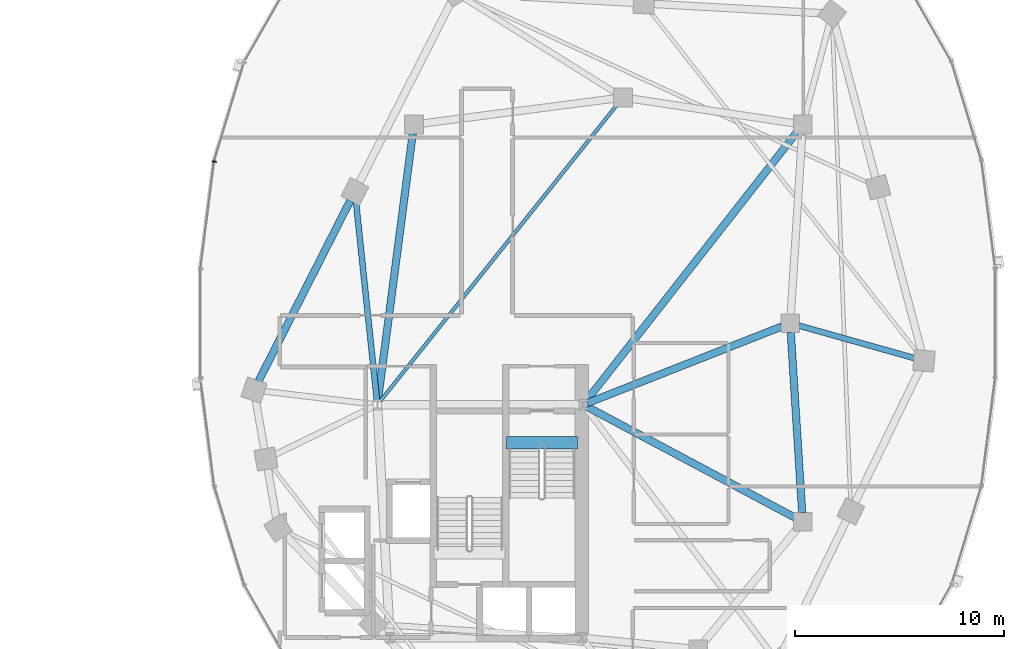
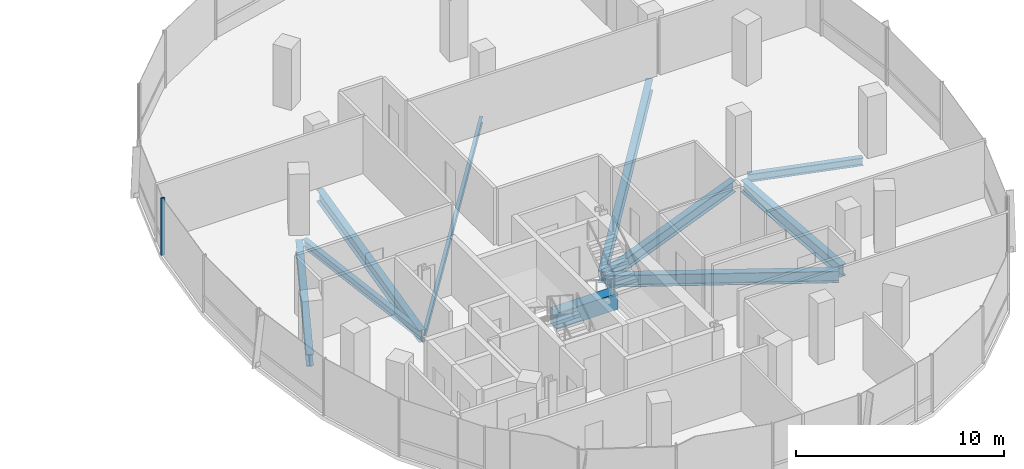
# One storey, part 7 of 22: 10 beams, 1 member, 1 element without a shape of its own.
"""IFC4 building model written with IfcOpenShell, lengths in metres."""

from ifc_helpers import new_model, si_unit, direction, frame, origin, origin_2d, place, context, subcontext, project, spatial, rectangle, i_section, extrude, material, material_profile, profile_set, type_object, element, aggregate, save


model = new_model("IFC4")

# Units and contexts
model_context = context("Model", 3, precision=1e-05, world=origin(), true_north=direction((0.0, 1.0)))
body_context = subcontext(model_context, "Body", "Model", "MODEL_VIEW")
ifc_project = project(units=[si_unit("LENGTHUNIT", "METRE"), si_unit("AREAUNIT", "SQUARE_METRE"), si_unit("VOLUMEUNIT", "CUBIC_METRE"), si_unit("PLANEANGLEUNIT", "RADIAN"), si_unit("MASSUNIT", "GRAM", prefix="KILO"), si_unit("THERMODYNAMICTEMPERATUREUNIT", "KELVIN"), si_unit("POWERUNIT", "WATT")], contexts=[model_context])

# Site, building, storey
site_placement = place(None, origin())
site = spatial("IfcSite", under=ifc_project, at=site_placement, CompositionType="ELEMENT")
building_placement = place(site_placement, origin())
building = spatial("IfcBuilding", under=site, at=building_placement, Name="Cundina Bronze Exchange", CompositionType="ELEMENT")
storey_placement = place(building_placement, frame((0.0, 0.0, 158.39990234375)))
storey = spatial("IfcBuildingStorey", under=building, at=storey_placement, Name="L41", CompositionType="ELEMENT", Elevation=158.39990234375)

# Beams
ifc_material_1 = material(Name="Concrete C60/75", Category="concrete")
ifc_material_profile_1 = material_profile(ifc_material_1, rectangle(XDim=0.60009765625, YDim=0.949951171875, at=origin_2d()), Name="RC600X950", Category="concrete")
ifc_profile_set_1 = profile_set([ifc_material_profile_1], Name="Concrete C60/75")
beam_type_1 = type_object("IfcBeamType", Name="BM-COUP-RC950", PredefinedType="LINTEL", material=ifc_profile_set_1)
beam_1_placement = place(storey_placement, frame((27.6201171875, -5.719970703125, -0.474853515625), z_axis=(1.0, 0.0, 0.0), x_axis=(0.0, 1.0, 0.0)))
element("IfcBeam", 1, at=beam_1_placement, inside=storey, type_object=beam_type_1, Name="L41 Stair E1 Landing Header Beam", PredefinedType="LINTEL", context=body_context, shape_type="SweptSolid", body=[
    extrude(rectangle(XDim=0.60009765625, YDim=0.949951171875, at=origin_2d()), origin(), (0.0, 0.0, 1.0), 3.39990234375),
])
ifc_material_2 = material(Name="Steel ASTM A992 Grade 50", Category="steel")
ifc_material_profile_2 = material_profile(ifc_material_2, i_section(OverallWidth=0.280029296875, OverallDepth=0.462890625, WebThickness=0.0107421875, FlangeThickness=0.017333984375, FilletRadius=0.011962890625, at=origin_2d()), Name="W18X76", Category="steel")
ifc_profile_set_2 = profile_set([ifc_material_profile_2], Name="Steel ASTM A992 Grade 50")
beam_type_2 = type_object("IfcBeamType", Name="BM-FLR-W18A", PredefinedType="BEAM", material=ifc_profile_set_2)
beam_2_placement = place(storey_placement, frame((41.62158203125, -0.11865234375, -0.471435546875), z_axis=(0.962649202648, -0.270751754643, 0.0), x_axis=(0.270751754643, 0.962649202648, 0.0)))
element("IfcBeam", 2, at=beam_2_placement, inside=storey, type_object=beam_type_2, Name="L41 Leg E Chordal Floor Beam 08", PredefinedType="BEAM", context=body_context, shape_type="SweptSolid", body=[
    extrude(i_section(OverallWidth=0.280029296875, OverallDepth=0.462890625, WebThickness=0.0107421875, FlangeThickness=0.017333984375, FilletRadius=0.011962890625, at=origin_2d()), origin(), (0.0, 0.0, 1.0), 5.72216796875),
])
beam_3_placement = place(storey_placement, frame((21.4287109375, -3.697021484375, -0.471435546875), z_axis=(-0.104834931651, 0.9944896365, 0.0), x_axis=(-0.9944896365, -0.104834931651, 0.0)))
element("IfcBeam", 3, at=beam_3_placement, inside=storey, type_object=beam_type_2, Name="L41 Leg E Chordal Floor Beam 13", PredefinedType="BEAM", context=body_context, shape_type="SweptSolid", body=[
    extrude(i_section(OverallWidth=0.280029296875, OverallDepth=0.462890625, WebThickness=0.0107421875, FlangeThickness=0.017333984375, FilletRadius=0.011962890625, at=origin_2d()), origin(), (0.0, 0.0, 1.0), 9.564453125),
])
ifc_material_profile_3 = material_profile(ifc_material_2, i_section(OverallWidth=0.172119140625, OverallDepth=0.35791015625, WebThickness=0.0078125, FlangeThickness=0.01318359375, FilletRadius=0.010009765625, at=origin_2d()), Name="W14X38", Category="steel")
ifc_profile_set_3 = profile_set([ifc_material_profile_3], Name="Steel ASTM A992 Grade 50")
beam_type_3 = type_object("IfcBeamType", Name="BM-JST-W14", PredefinedType="JOIST", material=ifc_profile_set_3)
beam_4_placement = place(storey_placement, frame((21.577392578125, -3.740478515625, -0.4189453125), z_axis=(0.624370675223, 0.781128196854, 0.0), x_axis=(-0.781128196854, 0.624370675223, 0.0)))
element("IfcBeam", 4, at=beam_4_placement, inside=storey, type_object=beam_type_3, Name="L41 E Interior Core-to-Ring Joist 2", PredefinedType="JOIST", context=body_context, shape_type="SweptSolid", body=[
    extrude(i_section(OverallWidth=0.172119140625, OverallDepth=0.35791015625, WebThickness=0.0078125, FlangeThickness=0.01318359375, FilletRadius=0.010009765625, at=origin_2d()), origin(), (0.0, 0.0, 1.0), 18.177001953125),
])
ifc_material_profile_4 = material_profile(ifc_material_2, i_section(OverallWidth=0.35498046875, OverallDepth=0.695068359375, WebThickness=0.015380859375, FlangeThickness=0.02490234375, FilletRadius=0.01806640625, at=origin_2d()), Name="W27X146", Category="steel")
ifc_profile_set_4 = profile_set([ifc_material_profile_4], Name="Steel ASTM A992 Grade 50")
beam_type_4 = type_object("IfcBeamType", Name="BM-RING-W27", PredefinedType="USERDEFINED", material=ifc_profile_set_4)
beam_5_placement = place(storey_placement, frame((41.7724609375, -9.06298828125, -0.58740234375), z_axis=(-0.063046519736, 0.998010589297, 0.0), x_axis=(-0.998010589297, -0.063046519736, 0.0)))
element("IfcBeam", 5, at=beam_5_placement, inside=storey, type_object=beam_type_4, Name="L41 E Inner Structural Ring Girder 03", ObjectType="GIRDER", PredefinedType="USERDEFINED", context=body_context, shape_type="SweptSolid", body=[
    extrude(i_section(OverallWidth=0.35498046875, OverallDepth=0.695068359375, WebThickness=0.015380859375, FlangeThickness=0.02490234375, FilletRadius=0.01806640625, at=origin_2d()), origin(), (0.0, 0.0, 1.0), 8.64306640625),
])
beam_6_placement = place(storey_placement, frame((23.143310546875, 9.065673828125, -0.58740234375), z_axis=(-0.129507030047, -0.991578503785, 0.0), x_axis=(0.991578503785, -0.129507030047, 0.0)))
element("IfcBeam", 6, at=beam_6_placement, inside=storey, type_object=beam_type_4, Name="L41 E Inner Structural Ring Girder 07", ObjectType="GIRDER", PredefinedType="USERDEFINED", context=body_context, shape_type="SweptSolid", body=[
    extrude(i_section(OverallWidth=0.35498046875, OverallDepth=0.695068359375, WebThickness=0.015380859375, FlangeThickness=0.02490234375, FilletRadius=0.01806640625, at=origin_2d()), origin(), (0.0, 0.0, 1.0), 12.871826171875),
])
beam_7_placement = place(storey_placement, frame((31.48974609375, -3.8251953125, -0.58740234375), z_axis=(0.930405617189, 0.36653156413, 0.0), x_axis=(-0.36653156413, 0.930405617189, 0.0)))
element("IfcBeam", 7, at=beam_7_placement, inside=storey, type_object=beam_type_4, Name="L41 E Core-to-Waist Tie Beam 1", ObjectType="GIRDER", PredefinedType="USERDEFINED", context=body_context, shape_type="SweptSolid", body=[
    extrude(i_section(OverallWidth=0.35498046875, OverallDepth=0.695068359375, WebThickness=0.015380859375, FlangeThickness=0.02490234375, FilletRadius=0.01806640625, at=origin_2d()), origin(), (0.0, 0.0, 1.0), 9.99853515625),
])
beam_8_placement = place(storey_placement, frame((31.47998046875, -3.99609375, -0.58740234375), z_axis=(0.88235534237, -0.470583733028, 0.0), x_axis=(0.470583733028, 0.88235534237, 0.0)))
element("IfcBeam", 8, at=beam_8_placement, inside=storey, type_object=beam_type_4, Name="L41 E Core-to-Waist Tie Beam 2", ObjectType="GIRDER", PredefinedType="USERDEFINED", context=body_context, shape_type="SweptSolid", body=[
    extrude(i_section(OverallWidth=0.35498046875, OverallDepth=0.695068359375, WebThickness=0.015380859375, FlangeThickness=0.02490234375, FilletRadius=0.01806640625, at=origin_2d()), origin(), (0.0, 0.0, 1.0), 11.258056640625),
])
beam_9_placement = place(storey_placement, frame((31.42578125, -3.739501953125, -0.58740234375), z_axis=(0.616779109924, 0.787136283982, 0.0), x_axis=(-0.787136283982, 0.616779109924, 0.0)))
element("IfcBeam", 9, at=beam_9_placement, inside=storey, type_object=beam_type_4, Name="L41 E Core-to-Waist Tie Beam 3", ObjectType="GIRDER", PredefinedType="USERDEFINED", context=body_context, shape_type="SweptSolid", body=[
    extrude(i_section(OverallWidth=0.35498046875, OverallDepth=0.695068359375, WebThickness=0.015380859375, FlangeThickness=0.02490234375, FilletRadius=0.01806640625, at=origin_2d()), origin(), (0.0, 0.0, 1.0), 16.3818359375),
])
beam_10_placement = place(storey_placement, frame((20.154052734375, 5.864990234375, -0.58740234375), z_axis=(-0.452834585354, -0.891594548159, 0.0), x_axis=(0.891594548159, -0.452834585354, 0.0)))
element("IfcBeam", 10, at=beam_10_placement, inside=storey, type_object=beam_type_4, Name="L41 E Perimeter Ring Girder 13", ObjectType="GIRDER", PredefinedType="USERDEFINED", context=body_context, shape_type="SweptSolid", body=[
    extrude(i_section(OverallWidth=0.35498046875, OverallDepth=0.695068359375, WebThickness=0.015380859375, FlangeThickness=0.02490234375, FilletRadius=0.01806640625, at=origin_2d()), origin(), (0.0, 0.0, 1.0), 9.67919921875),
])

# Curtain wall, member
ifc_material_3 = material(Name="Anodised Bronze Aluminium 6063-T6", Category="aluminium")
curtain_wall_type = type_object("IfcCurtainWallType", Name="CWS-WST-PIN", PredefinedType="NOTDEFINED", material=ifc_material_3)
curtain_wall_placement = place(storey_placement, origin())
curtain_wall = element("IfcCurtainWall", 11, at=curtain_wall_placement, inside=storey, type_object=curtain_wall_type, Name="L41 CW-04 Curtain Wall Run CWR-L41-E2", PredefinedType="NOTDEFINED")
ifc_material_profile_5 = material_profile(ifc_material_3, rectangle(XDim=0.070068359375, YDim=0.18994140625, at=origin_2d()), Name="AL70X190", Category="aluminium")
ifc_profile_set_5 = profile_set([ifc_material_profile_5], Name="Anodised Bronze Aluminium 6063-T6")
member_type = type_object("IfcMemberType", Name="CWM-MUL-190", PredefinedType="MULLION", material=ifc_profile_set_5)
member_placement = place(storey_placement, frame((13.642822265625, 7.731689453125, 0.0), z_axis=(0.0, 0.0, 1.0), x_axis=(-0.126545236492, -0.991960837494, 0.0)))
member = element("IfcMember", 12, at=member_placement, type_object=member_type, Name="CW-04 Mullion 6", PredefinedType="MULLION", context=body_context, shape_type="SweptSolid", body=[
    extrude(rectangle(XDim=0.070068359375, YDim=0.18994140625, at=origin_2d()), origin(), (0.0, 0.0, 1.0), 3.360107421875),
])
aggregate(curtain_wall, [member])

save(model, "model.ifc")
